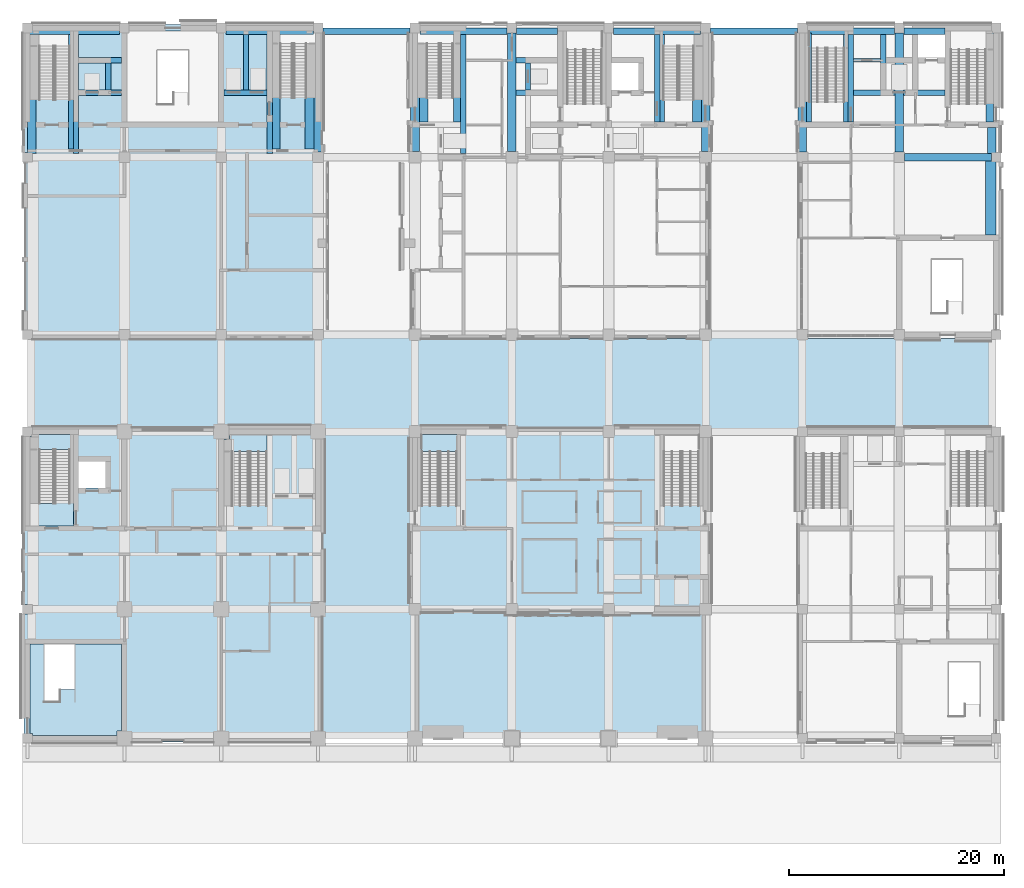
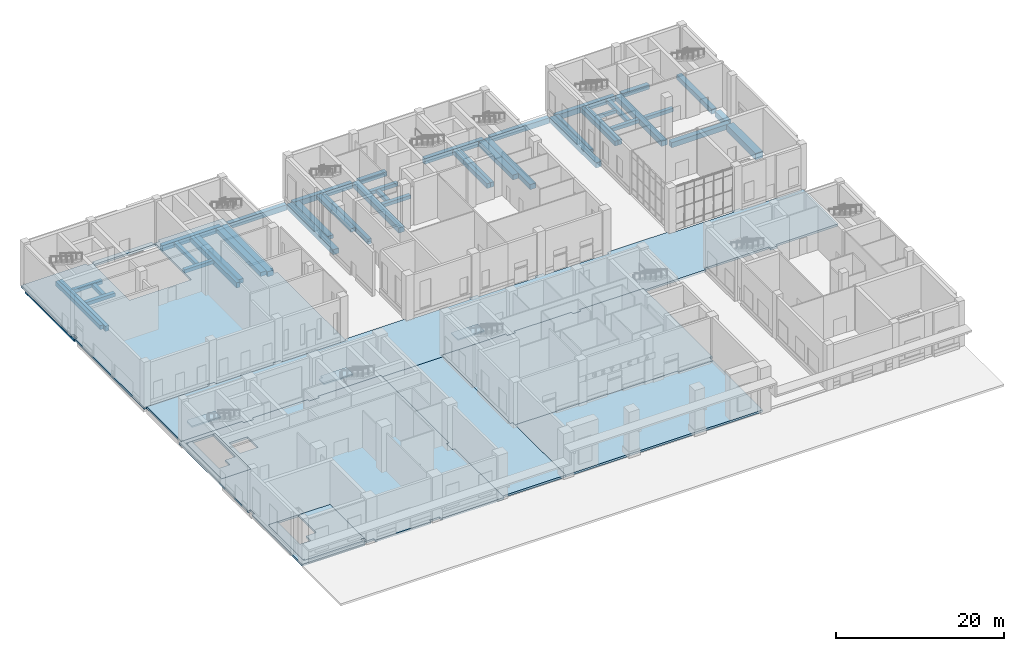
# One storey, part 5 of 35: 46 beams, 11 slabs, 3 elements without a shape of their own.
"""IFC4 building model written with IfcOpenShell, lengths in metres."""

from ifc_helpers import new_model, si_unit, direction, frame, origin, origin_2d, place, context, subcontext, project, spatial, polyline, rectangle, outline, extrude, material, layer, layer_set, material_profile, profile_set, type_object, element, aggregate, save


model = new_model("IFC4")

# Units and contexts
model_context = context("Model", 3, precision=1e-05, world=origin(), true_north=direction((0.0, 1.0)))
body_context = subcontext(model_context, "Body", "Model", "MODEL_VIEW")
ifc_project = project(units=[si_unit("LENGTHUNIT", "METRE"), si_unit("AREAUNIT", "SQUARE_METRE"), si_unit("VOLUMEUNIT", "CUBIC_METRE"), si_unit("PLANEANGLEUNIT", "RADIAN"), si_unit("MASSUNIT", "GRAM", prefix="KILO")], contexts=[model_context])

# Site, building, storey
site_placement = place(None, origin())
site = spatial("IfcSite", under=ifc_project, at=site_placement, CompositionType="ELEMENT")
building_placement = place(site_placement, origin())
building = spatial("IfcBuilding", under=site, at=building_placement, Name="Aurelan Courthouse", CompositionType="ELEMENT")
storey_placement = place(building_placement, origin())
storey = spatial("IfcBuildingStorey", under=building, at=storey_placement, Name="L00", CompositionType="ELEMENT", Elevation=0.0)

# Beams
ifc_material_1 = material(Name="Concrete C50", Category="concrete")
ifc_material_profile_1 = material_profile(ifc_material_1, rectangle(XDim=0.699951171875, YDim=0.75, at=origin_2d()), Name="RC 700 x 750")
ifc_profile_set_1 = profile_set([ifc_material_profile_1], Name="Concrete C50")
beam_type_1 = type_object("IfcBeamType", Name="PT beam 700 x 750", PredefinedType="BEAM", material=ifc_profile_set_1)
beam_1_placement = place(storey_placement, frame((81.5, 54.0, -0.675048828125), z_axis=(1.0, 0.0, 0.0), x_axis=(0.0, 1.0, 0.0)))
element("IfcBeam", 1, at=beam_1_placement, inside=storey, type_object=beam_type_1, Name="Beam EB-E-10-11", PredefinedType="BEAM", context=body_context, shape_type="SweptSolid", body=[
    extrude(rectangle(XDim=0.699951171875, YDim=0.75, at=origin_2d()), origin(), (0.0, 0.0, 1.0), 8.050048828125),
])
ifc_material_profile_2 = material_profile(ifc_material_1, rectangle(XDim=1.0, YDim=0.949951171875, at=origin_2d()), Name="RC 1000 x 950")
ifc_profile_set_2 = profile_set([ifc_material_profile_2], Name="Concrete C50")
beam_type_2 = type_object("IfcBeamType", Name="PT girder 1000 x 950", PredefinedType="BEAM", material=ifc_profile_set_2)
beam_2_placement = place(storey_placement, frame((89.5, 46.75, -0.77490234375), z_axis=(0.0, 1.0, 0.0), x_axis=(-1.0, 0.0, 0.0)))
element("IfcBeam", 2, at=beam_2_placement, inside=storey, type_object=beam_type_2, Name="Girder GB-11DE-E", PredefinedType="BEAM", context=body_context, shape_type="SweptSolid", body=[
    extrude(rectangle(XDim=1.0, YDim=0.949951171875, at=origin_2d()), origin(), (0.0, 0.0, 1.0), 6.89990234375),
])
ifc_material_profile_3 = material_profile(ifc_material_1, rectangle(XDim=0.800048828125, YDim=0.75, at=origin_2d()), Name="RC 800 x 750")
ifc_profile_set_3 = profile_set([ifc_material_profile_3], Name="Concrete C50")
beam_type_3 = type_object("IfcBeamType", Name="PT girder 800 x 750", PredefinedType="BEAM", material=ifc_profile_set_3)
beam_3_placement = place(storey_placement, frame((0.39990234375, 54.35009765625, -0.675048828125), z_axis=(0.0, 1.0, 0.0), x_axis=(-1.0, 0.0, 0.0)))
element("IfcBeam", 3, at=beam_3_placement, inside=storey, type_object=beam_type_3, Name="Girder GB-1EF-E", PredefinedType="BEAM", context=body_context, shape_type="SweptSolid", body=[
    extrude(rectangle(XDim=0.800048828125, YDim=0.75, at=origin_2d()), origin(), (0.0, 0.0, 1.0), 11.0498046875),
])
beam_4_placement = place(storey_placement, frame((27.0, 54.5, -0.675048828125), z_axis=(0.0, 1.0, 0.0), x_axis=(-1.0, 0.0, 0.0)))
element("IfcBeam", 4, at=beam_4_placement, inside=storey, type_object=beam_type_3, Name="Girder GB-4EF", PredefinedType="BEAM", context=body_context, shape_type="SweptSolid", body=[
    extrude(rectangle(XDim=0.800048828125, YDim=0.75, at=origin_2d()), origin(), (0.0, 0.0, 1.0), 11.050048828125),
])
for number, where, z_axis, x_axis, name in (
    (5, (36.0, 54.550048828125, -0.675048828125), (0.0, 1.0, 0.0), (-1.0, 0.0, 0.0), "Girder GB-5EF"),
    (6, (45.0, 54.550048828125, -0.675048828125), (0.0, 1.0, 0.0), (-1.0, 0.0, 0.0), "Girder GB-6EF"),
    (7, (63.0, 54.550048828125, -0.675048828125), (0.0, 1.0, 0.0), (-1.0, 0.0, 0.0), "Girder GB-8EF"),
):
    element("IfcBeam", number, at=place(storey_placement, frame(where, z_axis=z_axis, x_axis=x_axis)), inside=storey, type_object=beam_type_3, Name=name, PredefinedType="BEAM", context=body_context, shape_type="SweptSolid", body=[
        extrude(rectangle(XDim=0.800048828125, YDim=0.75, at=origin_2d()), origin(), (0.0, 0.0, 1.0), 11.0),
    ])
for number, where, z_axis, x_axis, name in (
    (8, (72.0, 54.5, -0.675048828125), (0.0, 1.0, 0.0), (-1.0, 0.0, 0.0), "Girder GB-9EF"),
    (9, (81.0, 54.5, -0.675048828125), (0.0, 1.0, 0.0), (-1.0, 0.0, 0.0), "Girder GB-10EF"),
):
    element("IfcBeam", number, at=place(storey_placement, frame(where, z_axis=z_axis, x_axis=x_axis)), inside=storey, type_object=beam_type_3, Name=name, PredefinedType="BEAM", context=body_context, shape_type="SweptSolid", body=[
        extrude(rectangle(XDim=0.800048828125, YDim=0.75, at=origin_2d()), origin(), (0.0, 0.0, 1.0), 11.050048828125),
    ])
beam_5_placement = place(storey_placement, frame((89.60009765625, 54.35009765625, -0.675048828125), z_axis=(0.0, 1.0, 0.0), x_axis=(-1.0, 0.0, 0.0)))
element("IfcBeam", 10, at=beam_5_placement, inside=storey, type_object=beam_type_3, Name="Girder GB-11EF-E", PredefinedType="BEAM", context=body_context, shape_type="SweptSolid", body=[
    extrude(rectangle(XDim=0.800048828125, YDim=0.75, at=origin_2d()), origin(), (0.0, 0.0, 1.0), 2.39990234375),
])
ifc_material_profile_4 = material_profile(ifc_material_1, rectangle(XDim=0.60009765625, YDim=0.64990234375, at=origin_2d()), Name="RC 600 x 650")
ifc_profile_set_4 = profile_set([ifc_material_profile_4], Name="Concrete C50")
beam_type_4 = type_object("IfcBeamType", Name="RC spandrel beam 600 x 650", PredefinedType="SPANDREL", material=ifc_profile_set_4)
for number, where, z_axis, x_axis, name in (
    (11, (45.449951171875, 65.699951171875, -0.625), (1.0, 0.0, 0.0), (0.0, 1.0, 0.0), "Spandrel beam SB-F-6-7"),
    (12, (81.449951171875, 65.699951171875, -0.625), (1.0, 0.0, 0.0), (0.0, 1.0, 0.0), "Spandrel beam SB-F-10-11"),
):
    element("IfcBeam", number, at=place(storey_placement, frame(where, z_axis=z_axis, x_axis=x_axis)), inside=storey, type_object=beam_type_4, Name=name, PredefinedType="SPANDREL", context=body_context, shape_type="SweptSolid", body=[
        extrude(rectangle(XDim=0.60009765625, YDim=0.64990234375, at=origin_2d()), origin(), (0.0, 0.0, 1.0), 3.800048828125),
    ])
ifc_material_profile_5 = material_profile(ifc_material_1, rectangle(XDim=0.60009765625, YDim=0.800048828125, at=origin_2d()), Name="RC 600 x 800")
ifc_profile_set_5 = profile_set([ifc_material_profile_5], Name="Concrete C50")
beam_type_5 = type_object("IfcBeamType", Name="RC spandrel beam 600 x 800", PredefinedType="SPANDREL", material=ifc_profile_set_5)
beam_6_placement = place(storey_placement, frame((0.0, 65.699951171875, -0.699951171875), z_axis=(1.0, 0.0, 0.0), x_axis=(0.0, 1.0, 0.0)))
element("IfcBeam", 13, at=beam_6_placement, inside=storey, type_object=beam_type_5, Name="Spandrel beam SB-F-1-2", PredefinedType="SPANDREL", context=body_context, shape_type="SweptSolid", body=[
    extrude(rectangle(XDim=0.60009765625, YDim=0.800048828125, at=origin_2d()), origin(), (0.0, 0.0, 1.0), 8.550048828125),
])
for number, where, z_axis, x_axis, name in (
    (14, (18.449951171875, 65.699951171875, -0.699951171875), (1.0, 0.0, 0.0), (0.0, 1.0, 0.0), "Spandrel beam SB-F-3-4"),
    (15, (27.449951171875, 65.699951171875, -0.699951171875), (1.0, 0.0, 0.0), (0.0, 1.0, 0.0), "Spandrel beam SB-F-4-5"),
    (16, (36.449951171875, 65.699951171875, -0.699951171875), (1.0, 0.0, 0.0), (0.0, 1.0, 0.0), "Spandrel beam SB-F-5-6"),
    (17, (54.449951171875, 65.699951171875, -0.699951171875), (1.0, 0.0, 0.0), (0.0, 1.0, 0.0), "Spandrel beam SB-F-7-8"),
    (18, (63.449951171875, 65.699951171875, -0.699951171875), (1.0, 0.0, 0.0), (0.0, 1.0, 0.0), "Spandrel beam SB-F-8-9"),
    (19, (72.449951171875, 65.699951171875, -0.699951171875), (1.0, 0.0, 0.0), (0.0, 1.0, 0.0), "Spandrel beam SB-F-9-10"),
):
    element("IfcBeam", number, at=place(storey_placement, frame(where, z_axis=z_axis, x_axis=x_axis)), inside=storey, type_object=beam_type_5, Name=name, PredefinedType="SPANDREL", context=body_context, shape_type="SweptSolid", body=[
        extrude(rectangle(XDim=0.60009765625, YDim=0.800048828125, at=origin_2d()), origin(), (0.0, 0.0, 1.0), 8.10009765625),
    ])
ifc_material_2 = material(Name="Concrete C40", Category="concrete")
ifc_material_profile_6 = material_profile(ifc_material_2, rectangle(XDim=0.35009765625, YDim=0.5, at=origin_2d()), Name="RC 350 x 500")
ifc_profile_set_6 = profile_set([ifc_material_profile_6], Name="Concrete C40")
beam_type_6 = type_object("IfcBeamType", Name="RC wall beam 350 x 500", PredefinedType="BEAM", material=ifc_profile_set_6)
beam_7_placement = place(storey_placement, frame((76.75, 63.0, -0.550048828125), z_axis=(1.0, 0.0, 0.0), x_axis=(0.0, 1.0, 0.0)))
element("IfcBeam", 20, at=beam_7_placement, inside=storey, type_object=beam_type_6, Name="Wall beam WB-L00-059", PredefinedType="BEAM", context=body_context, shape_type="SweptSolid", body=[
    extrude(rectangle(XDim=0.35009765625, YDim=0.5, at=origin_2d()), origin(), (0.0, 0.0, 1.0), 2.5),
])
ifc_material_profile_7 = material_profile(ifc_material_2, rectangle(XDim=0.449951171875, YDim=0.60009765625, at=origin_2d()), Name="RC 450 x 600")
ifc_profile_set_7 = profile_set([ifc_material_profile_7], Name="Concrete C40")
beam_type_7 = type_object("IfcBeamType", Name="RC wall beam 450 x 600", PredefinedType="BEAM", material=ifc_profile_set_7)
beam_8_placement = place(storey_placement, frame((4.02490234375, 54.77490234375, -0.60009765625), z_axis=(0.0, 1.0, 0.0), x_axis=(-1.0, 0.0, 0.0)))
element("IfcBeam", 21, at=beam_8_placement, inside=storey, type_object=beam_type_7, Name="Wall beam WB-L00-062", PredefinedType="BEAM", context=body_context, shape_type="SweptSolid", body=[
    extrude(rectangle(XDim=0.449951171875, YDim=0.60009765625, at=origin_2d()), origin(), (0.0, 0.0, 1.0), 10.625),
])
ifc_material_profile_8 = material_profile(ifc_material_2, rectangle(XDim=0.449951171875, YDim=0.699951171875, at=origin_2d()), Name="RC 450 x 700")
ifc_profile_set_8 = profile_set([ifc_material_profile_8], Name="Concrete C40")
beam_type_8 = type_object("IfcBeamType", Name="RC wall beam 450 x 700", PredefinedType="BEAM", material=ifc_profile_set_8)
beam_9_placement = place(storey_placement, frame((72.625, 57.25, -0.64990234375), z_axis=(0.0, 1.0, 0.0), x_axis=(-1.0, 0.0, 0.0)))
element("IfcBeam", 22, at=beam_9_placement, inside=storey, type_object=beam_type_8, Name="Wall beam WB-L00-049", PredefinedType="BEAM", context=body_context, shape_type="SweptSolid", body=[
    extrude(rectangle(XDim=0.449951171875, YDim=0.699951171875, at=origin_2d()), origin(), (0.0, 0.0, 1.0), 8.300048828125),
])
for number, where, z_axis, x_axis, name in (
    (23, (76.02490234375, 57.25, -0.64990234375), (0.0, 1.0, 0.0), (-1.0, 0.0, 0.0), "Wall beam WB-L00-051"),
    (24, (58.97509765625, 57.25, -0.64990234375), (0.0, 1.0, 0.0), (-1.0, 0.0, 0.0), "Wall beam WB-L00-053"),
):
    element("IfcBeam", number, at=place(storey_placement, frame(where, z_axis=z_axis, x_axis=x_axis)), inside=storey, type_object=beam_type_8, Name=name, PredefinedType="BEAM", context=body_context, shape_type="SweptSolid", body=[
        extrude(rectangle(XDim=0.449951171875, YDim=0.699951171875, at=origin_2d()), origin(), (0.0, 0.0, 1.0), 8.14990234375),
    ])
ifc_material_profile_9 = material_profile(ifc_material_2, rectangle(XDim=0.5, YDim=0.5, at=origin_2d()), Name="RC 500 x 500")
ifc_profile_set_9 = profile_set([ifc_material_profile_9], Name="Concrete C40")
beam_type_9 = type_object("IfcBeamType", Name="RC wall beam 500 x 500", PredefinedType="BEAM", material=ifc_profile_set_9)
for number, where, z_axis, x_axis, name in (
    (25, (81.39990234375, 60.0, -0.550048828125), (1.0, 0.0, 0.0), (0.0, 1.0, 0.0), "Wall beam WB-L00-012"),
    (26, (45.39990234375, 60.0, -0.550048828125), (1.0, 0.0, 0.0), (0.0, 1.0, 0.0), "Wall beam WB-L00-013"),
    (27, (45.39990234375, 63.0, -0.550048828125), (1.0, 0.0, 0.0), (0.0, 1.0, 0.0), "Wall beam WB-L00-014"),
):
    element("IfcBeam", number, at=place(storey_placement, frame(where, z_axis=z_axis, x_axis=x_axis)), inside=storey, type_object=beam_type_9, Name=name, PredefinedType="BEAM", context=body_context, shape_type="SweptSolid", body=[
        extrude(rectangle(XDim=0.5, YDim=0.5, at=origin_2d()), origin(), (0.0, 0.0, 1.0), 3.85009765625),
    ])
for number, where, z_axis, x_axis, name in (
    (28, (18.25, 60.0, -0.550048828125), (1.0, 0.0, 0.0), (0.0, 1.0, 0.0), "Wall beam WB-L00-023"),
    (29, (4.75, 60.0, -0.550048828125), (1.0, 0.0, 0.0), (0.0, 1.0, 0.0), "Wall beam WB-L00-024"),
    (30, (4.75, 63.0, -0.550048828125), (1.0, 0.0, 0.0), (0.0, 1.0, 0.0), "Wall beam WB-L00-025"),
):
    element("IfcBeam", number, at=place(storey_placement, frame(where, z_axis=z_axis, x_axis=x_axis)), inside=storey, type_object=beam_type_9, Name=name, PredefinedType="BEAM", context=body_context, shape_type="SweptSolid", body=[
        extrude(rectangle(XDim=0.5, YDim=0.5, at=origin_2d()), origin(), (0.0, 0.0, 1.0), 4.0),
    ])
beam_10_placement = place(storey_placement, frame((46.5, 60.25, -0.550048828125), z_axis=(0.0, 1.0, 0.0), x_axis=(-1.0, 0.0, 0.0)))
element("IfcBeam", 31, at=beam_10_placement, inside=storey, type_object=beam_type_9, Name="Wall beam WB-L00-027", PredefinedType="BEAM", context=body_context, shape_type="SweptSolid", body=[
    extrude(rectangle(XDim=0.5, YDim=0.5, at=origin_2d()), origin(), (0.0, 0.0, 1.0), 2.5),
])
beam_11_placement = place(storey_placement, frame((20.300048828125, 60.25, -0.550048828125), z_axis=(0.0, 1.0, 0.0), x_axis=(-1.0, 0.0, 0.0)))
element("IfcBeam", 32, at=beam_11_placement, inside=storey, type_object=beam_type_9, Name="Wall beam WB-L00-030", PredefinedType="BEAM", context=body_context, shape_type="SweptSolid", body=[
    extrude(rectangle(XDim=0.5, YDim=0.5, at=origin_2d()), origin(), (0.0, 0.0, 1.0), 5.14990234375),
])
beam_12_placement = place(storey_placement, frame((76.75, 60.0, -0.550048828125), z_axis=(1.0, 0.0, 0.0), x_axis=(0.0, 1.0, 0.0)))
element("IfcBeam", 33, at=beam_12_placement, inside=storey, type_object=beam_type_9, Name="Wall beam WB-L00-033", PredefinedType="BEAM", context=body_context, shape_type="SweptSolid", body=[
    extrude(rectangle(XDim=0.5, YDim=0.5, at=origin_2d()), origin(), (0.0, 0.0, 1.0), 3.85009765625),
])
beam_13_placement = place(storey_placement, frame((7.5, 60.25, -0.550048828125), z_axis=(0.0, 1.0, 0.0), x_axis=(-1.0, 0.0, 0.0)))
element("IfcBeam", 34, at=beam_13_placement, inside=storey, type_object=beam_type_9, Name="Wall beam WB-L00-034", PredefinedType="BEAM", context=body_context, shape_type="SweptSolid", body=[
    extrude(rectangle(XDim=0.5, YDim=0.5, at=origin_2d()), origin(), (0.0, 0.0, 1.0), 2.5),
])
beam_14_placement = place(storey_placement, frame((79.5, 60.25, -0.550048828125), z_axis=(0.0, 1.0, 0.0), x_axis=(-1.0, 0.0, 0.0)))
element("IfcBeam", 35, at=beam_14_placement, inside=storey, type_object=beam_type_9, Name="Wall beam WB-L00-037", PredefinedType="BEAM", context=body_context, shape_type="SweptSolid", body=[
    extrude(rectangle(XDim=0.5, YDim=0.5, at=origin_2d()), origin(), (0.0, 0.0, 1.0), 5.14990234375),
])
ifc_material_profile_10 = material_profile(ifc_material_2, rectangle(XDim=0.5, YDim=0.699951171875, at=origin_2d()), Name="RC 500 x 700")
ifc_profile_set_10 = profile_set([ifc_material_profile_10], Name="Concrete C40")
beam_type_10 = type_object("IfcBeamType", Name="RC wall beam 500 x 700", PredefinedType="BEAM", material=ifc_profile_set_10)
for number, where, z_axis, x_axis, name in (
    (36, (58.5, 57.25, -0.64990234375), (0.0, 1.0, 0.0), (-1.0, 0.0, 0.0), "Wall beam WB-L00-018"),
    (37, (76.5, 57.25, -0.64990234375), (0.0, 1.0, 0.0), (-1.0, 0.0, 0.0), "Wall beam WB-L00-020"),
):
    element("IfcBeam", number, at=place(storey_placement, frame(where, z_axis=z_axis, x_axis=x_axis)), inside=storey, type_object=beam_type_10, Name=name, PredefinedType="BEAM", context=body_context, shape_type="SweptSolid", body=[
        extrude(rectangle(XDim=0.5, YDim=0.699951171875, at=origin_2d()), origin(), (0.0, 0.0, 1.0), 8.14990234375),
    ])
ifc_material_profile_11 = material_profile(ifc_material_2, rectangle(XDim=0.5, YDim=0.75, at=origin_2d()), Name="RC 500 x 750")
ifc_profile_set_11 = profile_set([ifc_material_profile_11], Name="Concrete C40")
beam_type_11 = type_object("IfcBeamType", Name="RC wall beam 500 x 750", PredefinedType="BEAM", material=ifc_profile_set_11)
for number, where, z_axis, x_axis, name in (
    (38, (40.5, 54.35009765625, -0.675048828125), (0.0, 1.0, 0.0), (-1.0, 0.0, 0.0), "Wall beam WB-L00-001"),
    (39, (4.5, 54.35009765625, -0.675048828125), (0.0, 1.0, 0.0), (-1.0, 0.0, 0.0), "Wall beam WB-L00-003"),
    (40, (22.5, 54.35009765625, -0.675048828125), (0.0, 1.0, 0.0), (-1.0, 0.0, 0.0), "Wall beam WB-L00-004"),
):
    element("IfcBeam", number, at=place(storey_placement, frame(where, z_axis=z_axis, x_axis=x_axis)), inside=storey, type_object=beam_type_11, Name=name, PredefinedType="BEAM", context=body_context, shape_type="SweptSolid", body=[
        extrude(rectangle(XDim=0.5, YDim=0.75, at=origin_2d()), origin(), (0.0, 0.0, 1.0), 11.0498046875),
    ])
ifc_material_profile_12 = material_profile(ifc_material_2, rectangle(XDim=0.68994140625, YDim=0.5, at=origin_2d()), Name="RC 690 x 500")
ifc_profile_set_12 = profile_set([ifc_material_profile_12], Name="Concrete C40")
beam_type_12 = type_object("IfcBeamType", Name="RC wall beam 690 x 500", PredefinedType="BEAM", material=ifc_profile_set_12)
beam_15_placement = place(storey_placement, frame((39.905029296875, 57.25, -0.550048828125), z_axis=(0.0, 1.0, 0.0), x_axis=(-1.0, 0.0, 0.0)))
element("IfcBeam", 41, at=beam_15_placement, inside=storey, type_object=beam_type_12, Name="Wall beam WB-L00-054", PredefinedType="BEAM", context=body_context, shape_type="SweptSolid", body=[
    extrude(rectangle(XDim=0.68994140625, YDim=0.5, at=origin_2d()), origin(), (0.0, 0.0, 1.0), 8.14990234375),
])
ifc_material_profile_13 = material_profile(ifc_material_2, rectangle(XDim=0.68994140625, YDim=0.60009765625, at=origin_2d()), Name="RC 690 x 600")
ifc_profile_set_13 = profile_set([ifc_material_profile_13], Name="Concrete C40")
beam_type_13 = type_object("IfcBeamType", Name="RC wall beam 690 x 600", PredefinedType="BEAM", material=ifc_profile_set_13)
beam_16_placement = place(storey_placement, frame((23.094970703125, 54.77490234375, -0.60009765625), z_axis=(0.0, 1.0, 0.0), x_axis=(-1.0, 0.0, 0.0)))
element("IfcBeam", 42, at=beam_16_placement, inside=storey, type_object=beam_type_13, Name="Wall beam WB-L00-063", PredefinedType="BEAM", context=body_context, shape_type="SweptSolid", body=[
    extrude(rectangle(XDim=0.68994140625, YDim=0.60009765625, at=origin_2d()), origin(), (0.0, 0.0, 1.0), 10.625),
])
ifc_material_profile_14 = material_profile(ifc_material_2, rectangle(XDim=0.699951171875, YDim=0.699951171875, at=origin_2d()), Name="RC 700 x 700")
ifc_profile_set_14 = profile_set([ifc_material_profile_14], Name="Concrete C40")
beam_type_14 = type_object("IfcBeamType", Name="RC wall beam 700 x 700", PredefinedType="BEAM", material=ifc_profile_set_14)
beam_17_placement = place(storey_placement, frame((89.39990234375, 57.25, -0.64990234375), z_axis=(0.0, 1.0, 0.0), x_axis=(-1.0, 0.0, 0.0)))
element("IfcBeam", 43, at=beam_17_placement, inside=storey, type_object=beam_type_14, Name="Wall beam WB-L00-052", PredefinedType="BEAM", context=body_context, shape_type="SweptSolid", body=[
    extrude(rectangle(XDim=0.699951171875, YDim=0.699951171875, at=origin_2d()), origin(), (0.0, 0.0, 1.0), 8.35009765625),
])
ifc_material_profile_15 = material_profile(ifc_material_2, rectangle(XDim=0.81005859375, YDim=0.5, at=origin_2d()), Name="RC 810 x 500")
ifc_profile_set_15 = profile_set([ifc_material_profile_15], Name="Concrete C40")
beam_type_15 = type_object("IfcBeamType", Name="RC wall beam 810 x 500", PredefinedType="BEAM", material=ifc_profile_set_15)
beam_18_placement = place(storey_placement, frame((36.804931640625, 57.25, -0.550048828125), z_axis=(0.0, 1.0, 0.0), x_axis=(-1.0, 0.0, 0.0)))
element("IfcBeam", 44, at=beam_18_placement, inside=storey, type_object=beam_type_15, Name="Wall beam WB-L00-058", PredefinedType="BEAM", context=body_context, shape_type="SweptSolid", body=[
    extrude(rectangle(XDim=0.81005859375, YDim=0.5, at=origin_2d()), origin(), (0.0, 0.0, 1.0), 8.14990234375),
])
ifc_material_profile_16 = material_profile(ifc_material_2, rectangle(XDim=0.81005859375, YDim=0.60009765625, at=origin_2d()), Name="RC 810 x 600")
ifc_profile_set_16 = profile_set([ifc_material_profile_16], Name="Concrete C40")
beam_type_16 = type_object("IfcBeamType", Name="RC wall beam 810 x 600", PredefinedType="BEAM", material=ifc_profile_set_16)
beam_19_placement = place(storey_placement, frame((26.195068359375, 54.77490234375, -0.60009765625), z_axis=(0.0, 1.0, 0.0), x_axis=(-1.0, 0.0, 0.0)))
element("IfcBeam", 45, at=beam_19_placement, inside=storey, type_object=beam_type_16, Name="Wall beam WB-L00-064", PredefinedType="BEAM", context=body_context, shape_type="SweptSolid", body=[
    extrude(rectangle(XDim=0.81005859375, YDim=0.60009765625, at=origin_2d()), origin(), (0.0, 0.0, 1.0), 10.625),
])
ifc_material_profile_17 = material_profile(ifc_material_2, rectangle(XDim=0.81005859375, YDim=0.699951171875, at=origin_2d()), Name="RC 810 x 700")
ifc_profile_set_17 = profile_set([ifc_material_profile_17], Name="Concrete C40")
beam_type_17 = type_object("IfcBeamType", Name="RC wall beam 810 x 700", PredefinedType="BEAM", material=ifc_profile_set_17)
beam_20_placement = place(storey_placement, frame((62.195068359375, 57.25, -0.64990234375), z_axis=(0.0, 1.0, 0.0), x_axis=(-1.0, 0.0, 0.0)))
element("IfcBeam", 46, at=beam_20_placement, inside=storey, type_object=beam_type_17, Name="Wall beam WB-L00-056", PredefinedType="BEAM", context=body_context, shape_type="SweptSolid", body=[
    extrude(rectangle(XDim=0.81005859375, YDim=0.699951171875, at=origin_2d()), origin(), (0.0, 0.0, 1.0), 8.14990234375),
])

# Slabs
ifc_layer_1 = layer(ifc_material_2, 0.300048828125)
ifc_layer_set_1 = layer_set([ifc_layer_1], Name="Concrete C40")
slab_type_1 = type_object("IfcSlabType", Name="PT court deck slab 300", PredefinedType="FLOOR", material=ifc_layer_set_1)
slab_1_placement = place(storey_placement, frame((0.0, 0.0, -0.300048828125)))
element("IfcSlab", 47, at=slab_1_placement, inside=storey, type_object=slab_type_1, Name="Court Deck G1S", PredefinedType="FLOOR", context=body_context, shape_type="SweptSolid", body=[
    extrude(outline(polyline([(36.0, 0.0), (36.0, 12.0), (36.0, 12.550048828125), (35.64990234375, 12.550048828125), (35.64990234375, 27.949951171875), (35.64990234375, 28.5), (27.35009765625, 28.5), (27.35009765625, 27.800048828125), (27.35009765625, 12.699951171875), (27.0, 12.699951171875), (27.0, 11.300048828125), (27.35009765625, 11.300048828125), (27.35009765625, 0.699951171875), (27.35009765625, 0.0), (36.0, 0.0)])), origin(), (0.0, 0.0, 1.0), 0.300048828125),
])
slab_2_placement = place(storey_placement, frame((0.0, 0.0, -0.300048828125)))
element("IfcSlab", 48, at=slab_2_placement, inside=storey, type_object=slab_type_1, Name="Interior Street Deck", PredefinedType="FLOOR", context=body_context, shape_type="SweptSolid", body=[
    extrude(outline(polyline([(90.0, 28.85009765625), (90.0, 37.14990234375), (89.550048828125, 37.14990234375), (81.5, 37.14990234375), (81.5, 37.5), (80.5, 37.5), (80.5, 37.14990234375), (72.5, 37.14990234375), (71.64990234375, 37.14990234375), (71.64990234375, 37.5), (63.35009765625, 37.5), (63.35009765625, 37.14990234375), (62.449951171875, 37.14990234375), (54.550048828125, 37.14990234375), (54.550048828125, 37.5), (53.449951171875, 37.5), (53.449951171875, 37.14990234375), (45.550048828125, 37.14990234375), (45.550048828125, 37.5), (44.449951171875, 37.5), (44.449951171875, 37.14990234375), (36.550048828125, 37.14990234375), (35.64990234375, 37.14990234375), (35.64990234375, 37.5), (27.35009765625, 37.5), (27.35009765625, 37.14990234375), (26.5, 37.14990234375), (18.5, 37.14990234375), (18.5, 37.5), (17.5, 37.5), (17.5, 37.14990234375), (9.5, 37.14990234375), (9.5, 37.5), (8.5, 37.5), (8.5, 37.14990234375), (0.449951171875, 37.14990234375), (0.0, 37.14990234375), (0.0, 28.85009765625), (0.449951171875, 28.85009765625), (8.300048828125, 28.85009765625), (8.300048828125, 28.5), (9.699951171875, 28.5), (9.699951171875, 28.85009765625), (17.300048828125, 28.85009765625), (17.300048828125, 28.5), (18.699951171875, 28.5), (18.699951171875, 28.85009765625), (26.300048828125, 28.85009765625), (27.35009765625, 28.85009765625), (27.35009765625, 28.5), (35.64990234375, 28.5), (35.64990234375, 28.85009765625), (36.550048828125, 28.85009765625), (44.449951171875, 28.85009765625), (44.449951171875, 28.5), (45.550048828125, 28.5), (45.550048828125, 28.85009765625), (53.449951171875, 28.85009765625), (53.449951171875, 28.5), (54.550048828125, 28.5), (54.550048828125, 28.85009765625), (62.449951171875, 28.85009765625), (63.35009765625, 28.85009765625), (63.35009765625, 28.5), (71.64990234375, 28.5), (71.64990234375, 28.85009765625), (72.449951171875, 28.85009765625), (80.550048828125, 28.85009765625), (80.550048828125, 28.5), (81.449951171875, 28.5), (81.449951171875, 28.85009765625), (89.550048828125, 28.85009765625), (90.0, 28.85009765625)])), origin(), (0.0, 0.0, 1.0), 0.300048828125),
])
slab_3_placement = place(storey_placement, frame((0.0, 0.0, -0.300048828125)))
element("IfcSlab", 49, at=slab_3_placement, inside=storey, type_object=slab_type_1, Name="Loggia Deck", PredefinedType="FLOOR", context=body_context, shape_type="SweptSolid", body=[
    extrude(outline(polyline([(63.0, 0.0), (63.0, 11.75), (58.25, 11.75), (58.25, 12.0), (36.0, 12.0), (36.0, 0.0), (63.0, 0.0)])), origin(), (0.0, 0.0, 1.0), 0.300048828125),
])
ifc_layer_2 = layer(ifc_material_2, 0.300048828125)
ifc_layer_set_2 = layer_set([ifc_layer_2], Name="Concrete C40")
slab_type_2 = type_object("IfcSlabType", Name="PT floor slab 300", PredefinedType="FLOOR", material=ifc_layer_set_2)
slab_4_placement = place(storey_placement, frame((0.0, 0.0, -0.300048828125)))
element("IfcSlab", 50, at=slab_4_placement, inside=storey, type_object=slab_type_2, Name="Floor slab SL-L00-01", PredefinedType="FLOOR", context=body_context, shape_type="SweptSolid", body=[
    extrude(outline(polyline([(63.35009765625, 12.550048828125), (63.35009765625, 27.949951171875), (63.35009765625, 28.85009765625), (62.449951171875, 28.85009765625), (54.550048828125, 28.85009765625), (54.550048828125, 28.5), (53.449951171875, 28.5), (53.449951171875, 28.85009765625), (45.550048828125, 28.85009765625), (45.550048828125, 28.5), (44.449951171875, 28.5), (44.449951171875, 28.85009765625), (36.550048828125, 28.85009765625), (35.64990234375, 28.85009765625), (35.64990234375, 27.949951171875), (35.64990234375, 12.550048828125), (36.0, 12.550048828125), (36.0, 12.0), (58.25, 12.0), (58.25, 11.75), (63.0, 11.75), (63.0, 12.550048828125), (63.35009765625, 12.550048828125)])), origin(), (0.0, 0.0, 1.0), 0.300048828125),
])
slab_5_placement = place(storey_placement, frame((0.0, 0.0, -0.300048828125)))
element("IfcSlab", 51, at=slab_5_placement, inside=storey, type_object=slab_type_2, Name="Floor slab SL-L00-05", PredefinedType="FLOOR", context=body_context, shape_type="SweptSolid", body=[
    extrude(outline(polyline([(-0.35009765625, 11.550048828125), (-0.35009765625, 0.449951171875), (-0.35009765625, -0.35009765625), (0.449951171875, -0.35009765625), (8.300048828125, -0.35009765625), (8.300048828125, 0.0), (9.699951171875, 0.0), (9.699951171875, -0.35009765625), (17.300048828125, -0.35009765625), (17.300048828125, 0.0), (18.699951171875, 0.0), (18.699951171875, -0.35009765625), (26.300048828125, -0.35009765625), (27.35009765625, -0.35009765625), (27.35009765625, 0.699951171875), (27.35009765625, 11.300048828125), (27.0, 11.300048828125), (27.0, 12.699951171875), (27.35009765625, 12.699951171875), (27.35009765625, 27.800048828125), (27.35009765625, 28.85009765625), (26.300048828125, 28.85009765625), (18.699951171875, 28.85009765625), (18.699951171875, 28.5), (17.300048828125, 28.5), (17.300048828125, 28.85009765625), (9.699951171875, 28.85009765625), (9.699951171875, 28.5), (8.300048828125, 28.5), (8.300048828125, 28.85009765625), (0.449951171875, 28.85009765625), (-0.35009765625, 28.85009765625), (-0.35009765625, 28.050048828125), (-0.35009765625, 12.449951171875), (0.0, 12.449951171875), (0.0, 11.550048828125), (-0.35009765625, 11.550048828125)]), holes=[polyline([(0.25, 0.25), (0.25, 8.75), (8.75, 8.75), (8.75, 0.25), (0.25, 0.25)]), polyline([(7.25, 25.75), (7.25, 23.25), (4.75, 23.25), (4.75, 25.75), (7.25, 25.75)]), polyline([(0.25, 28.25), (4.25, 28.25), (4.25, 19.75), (0.25, 19.75), (0.25, 28.25)])]), origin(), (0.0, 0.0, 1.0), 0.300048828125),
])
slab_6_placement = place(storey_placement, frame((0.0, 0.0, -0.300048828125)))
element("IfcSlab", 52, at=slab_6_placement, inside=storey, type_object=slab_type_2, Name="Floor slab SL-L00-06", PredefinedType="FLOOR", context=body_context, shape_type="SweptSolid", body=[
    extrude(outline(polyline([(-0.35009765625, 37.14990234375), (0.449951171875, 37.14990234375), (8.5, 37.14990234375), (8.5, 37.5), (9.5, 37.5), (9.5, 37.14990234375), (17.5, 37.14990234375), (17.5, 37.5), (18.5, 37.5), (18.5, 37.14990234375), (26.5, 37.14990234375), (27.35009765625, 37.14990234375), (27.35009765625, 38.0), (27.35009765625, 53.5), (27.0, 53.5), (27.0, 54.5), (27.35009765625, 54.5), (27.35009765625, 65.550048828125), (27.35009765625, 66.35009765625), (26.550048828125, 66.35009765625), (18.449951171875, 66.35009765625), (18.449951171875, 66.0), (17.550048828125, 66.0), (17.550048828125, 66.35009765625), (9.449951171875, 66.35009765625), (9.449951171875, 66.0), (8.550048828125, 66.0), (8.550048828125, 66.35009765625), (0.449951171875, 66.35009765625), (-0.35009765625, 66.35009765625), (-0.35009765625, 65.550048828125), (-0.35009765625, 54.449951171875), (0.0, 54.449951171875), (0.0, 53.550048828125), (-0.35009765625, 53.550048828125), (-0.35009765625, 37.949951171875), (-0.35009765625, 37.14990234375)]), holes=[polyline([(17.75, 65.75), (17.75, 57.25), (9.25, 57.25), (9.25, 65.75), (17.75, 65.75)])]), origin(), (0.0, 0.0, 1.0), 0.300048828125),
])
ifc_material_3 = material(Name="Concrete C30", Category="concrete")
ifc_layer_3 = layer(ifc_material_3, 0.300048828125)
ifc_layer_set_3 = layer_set([ifc_layer_3], Name="Concrete C30")
slab_type_3 = type_object("IfcSlabType", Name="Stair floor landing 300 thick", PredefinedType="LANDING", material=ifc_layer_set_3)
slab_7_placement = place(storey_placement, frame((0.0, 0.0, -0.300048828125)))
element("IfcSlab", 53, at=slab_7_placement, inside=storey, type_object=slab_type_3, Name="Stair BS-1 landing L00", PredefinedType="LANDING", context=body_context, shape_type="SweptSolid", body=[
    extrude(outline(polyline([(0.449951171875, 0.25), (0.449951171875, 0.449951171875), (0.25, 0.449951171875), (0.25, 8.75), (0.39990234375, 8.75), (0.409912109375, 8.75), (1.510009765625, 8.75), (1.510009765625, 3.40087890625), (3.010009765625, 3.40087890625), (3.010009765625, 4.52099609375), (4.409912109375, 4.52099609375), (4.409912109375, 8.75), (8.75, 8.75), (8.75, 0.699951171875), (8.300048828125, 0.699951171875), (8.300048828125, 0.25), (0.449951171875, 0.25)])), origin(), (0.0, 0.0, 1.0), 0.300048828125),
])

# Stair, slab
stair_type_1 = type_object("IfcStairType", Name="Half-turn stair 1400 wide 38 risers", PredefinedType="HALF_TURN_STAIR", material=ifc_material_3)
stair_1_placement = place(storey_placement, origin())
stair_1 = element("IfcStair", 54, at=stair_1_placement, inside=storey, type_object=stair_type_1, Name="Stair ST-5B-L00", PredefinedType="HALF_TURN_STAIR")
slab_8_placement = place(storey_placement, frame((0.0, 0.0, -0.300048828125)))
slab_8 = element("IfcSlab", 55, at=slab_8_placement, type_object=slab_type_3, Name="Stair ST-5B-L00 floor landing", PredefinedType="LANDING", context=body_context, shape_type="SweptSolid", body=[
    extrude(outline(polyline([(1.06005859375, 28.25), (1.06005859375, 21.81103515625), (2.56005859375, 21.81103515625), (2.56005859375, 22.930908203125), (3.9599609375, 22.930908203125), (3.9599609375, 28.25), (4.25, 28.25), (4.25, 19.75), (0.409912109375, 19.75), (0.39990234375, 19.75), (0.25, 19.75), (0.25, 28.050048828125), (0.449951171875, 28.050048828125), (0.449951171875, 28.25), (1.06005859375, 28.25)])), origin(), (0.0, 0.0, 1.0), 0.300048828125),
])

stair_type_2 = type_object("IfcStairType", Name="Half-turn stair 1600 wide 38 risers", PredefinedType="HALF_TURN_STAIR", material=ifc_material_3)
stair_2_placement = place(storey_placement, origin())
stair_2 = element("IfcStair", 56, at=stair_2_placement, inside=storey, type_object=stair_type_2, Name="Stair ST-1W-L00", PredefinedType="HALF_TURN_STAIR")
ifc_layer_4 = layer(ifc_material_3, 0.199951171875)
ifc_layer_set_4 = layer_set([ifc_layer_4], Name="Concrete C30")
slab_type_4 = type_object("IfcSlabType", Name="Stair half landing 200 thick", PredefinedType="LANDING", material=ifc_layer_set_4)
slab_9_placement = place(storey_placement, frame((0.0, 0.0, 3.10009765625)))
slab_9 = element("IfcSlab", 57, at=slab_9_placement, type_object=slab_type_4, Name="Stair ST-1W-L00 half landing", PredefinedType="LANDING", context=body_context, shape_type="SweptSolid", body=[
    extrude(outline(polyline([(36.60009765625, 28.25), (40.25, 28.25), (40.25, 26.64990234375), (36.60009765625, 26.64990234375), (36.60009765625, 28.25)])), origin(), (0.0, 0.0, 1.0), 0.199951171875),
])
aggregate(stair_2, [slab_9])

stair_3_placement = place(storey_placement, origin())
stair_3 = element("IfcStair", 58, at=stair_3_placement, inside=storey, type_object=stair_type_2, Name="Stair ST-5A-L00", PredefinedType="HALF_TURN_STAIR")
slab_10_placement = place(storey_placement, frame((0.0, 0.0, 3.10009765625)))
slab_10 = element("IfcSlab", 59, at=slab_10_placement, type_object=slab_type_4, Name="Stair ST-5A-L00 half landing", PredefinedType="LANDING", context=body_context, shape_type="SweptSolid", body=[
    extrude(outline(polyline([(18.25, 27.800048828125), (18.699951171875, 27.800048828125), (18.699951171875, 28.25), (22.25, 28.25), (22.25, 26.64990234375), (18.25, 26.64990234375), (18.25, 27.800048828125)])), origin(), (0.0, 0.0, 1.0), 0.199951171875),
])
aggregate(stair_3, [slab_10])

# Slab
slab_11_placement = place(storey_placement, frame((0.0, 0.0, 3.10009765625)))
slab_11 = element("IfcSlab", 60, at=slab_11_placement, type_object=slab_type_4, Name="Stair ST-5B-L00 half landing", PredefinedType="LANDING", context=body_context, shape_type="SweptSolid", body=[
    extrude(outline(polyline([(4.25, 28.25), (4.25, 26.85009765625), (0.25, 26.85009765625), (0.25, 28.050048828125), (0.449951171875, 28.050048828125), (0.449951171875, 28.25), (4.25, 28.25)])), origin(), (0.0, 0.0, 1.0), 0.199951171875),
])

aggregate(stair_1, [slab_11, slab_8])

save(model, "model.ifc")
